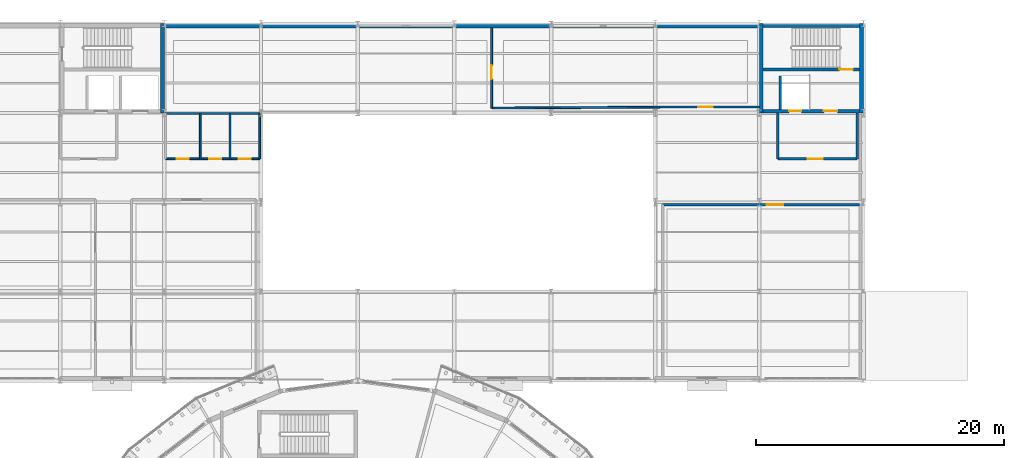
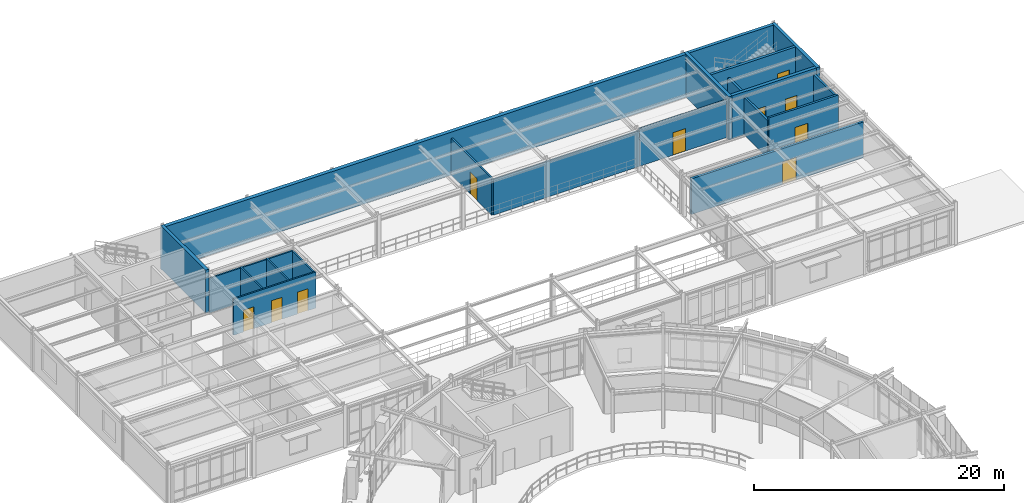
# One storey, part 78 of 90: 20 walls, 10 doors, 10 openings.
"""IFC4 building model written with IfcOpenShell, lengths in metres."""

from ifc_helpers import new_model, si_unit, derived_unit, direction, frame, frame_2d, origin, place, context, subcontext, project, spatial, rectangle, extrude, material, layer, layer_set, type_object, element, fill, save


model = new_model("IFC4")

# Units and contexts
model_context = context("Model", 3, precision=1e-05, world=origin(), true_north=direction((0.0, 1.0)))
body_context = subcontext(model_context, "Body", "Model", "MODEL_VIEW")
ifc_project = project(units=[si_unit("LENGTHUNIT", "METRE"), si_unit("AREAUNIT", "SQUARE_METRE"), si_unit("VOLUMEUNIT", "CUBIC_METRE"), si_unit("PLANEANGLEUNIT", "RADIAN"), si_unit("MASSUNIT", "GRAM", prefix="KILO"), derived_unit("THERMALTRANSMITTANCEUNIT", [(si_unit("POWERUNIT", "WATT"), 1), (si_unit("AREAUNIT", "SQUARE_METRE"), -1), (si_unit("THERMODYNAMICTEMPERATUREUNIT", "KELVIN"), -1)])], contexts=[model_context])

# Site, building, storey
site_placement = place(None, origin())
site = spatial("IfcSite", under=ifc_project, at=site_placement, CompositionType="ELEMENT")
building_placement = place(site_placement, origin())
building = spatial("IfcBuilding", under=site, at=building_placement, Name="Yasenodar Specialist Clinic", CompositionType="ELEMENT")
storey_placement = place(building_placement, frame((0.0, 0.0, 9.0)))
storey = spatial("IfcBuildingStorey", under=building, at=storey_placement, Name="L02", CompositionType="ELEMENT", Elevation=9.0)

# Wall, opening, door
ifc_material_1 = material(Name="Outpatient Examination Partition")
ifc_layer_1 = layer(ifc_material_1, 0.14990234375)
ifc_layer_set_1 = layer_set([ifc_layer_1], Name="Outpatient Examination Partition")
wall_type_1 = type_object("IfcWallType", Name="IW-CONS-150", PredefinedType="PARTITIONING", material=ifc_layer_set_1)
wall_1_placement = place(storey_placement, frame((113.419921875, 104.8701171875, 0.0), z_axis=(0.0, 0.0, 1.0), x_axis=(-1.0, 0.0, 0.0)))
wall_1 = element("IfcWall", 1, at=wall_1_placement, inside=storey, type_object=wall_type_1, Name="L02 Clinical Trial Investigational Pharmacy Partition", PredefinedType="PARTITIONING", context=body_context, shape_type="SweptSolid", body=[
    extrude(rectangle(XDim=8.0400390625, YDim=0.14990234375, at=frame_2d((4.02001953125, 0.0))), origin(), (0.0, 0.0, 1.0), 3.64794921875),
])
opening_1_placement = place(wall_1_placement, frame((3.780029296875, 0.0, 0.0)))
opening_1 = element("IfcOpeningElement", 2, at=opening_1_placement, cuts=wall_1, Name="Opening D-06", PredefinedType="OPENING", context=body_context, shape_type="SweptSolid", body=[
    extrude(rectangle(XDim=1.179931640625, YDim=2.199951171875, at=frame_2d((0.58984375, 1.10009765625))), frame((0.0, 0.0849609375, 0.0), z_axis=(0.0, -1.0, 0.0), x_axis=(1.0, 0.0, 0.0)), (0.0, 0.0, 1.0), 0.169921875),
])
ifc_material_2 = material(Name="Powder-Coated Steel and Acoustic Laminate Leaf", Category="steel")
door_type_1 = type_object("IfcDoorType", Name="DR-CLN-118", OperationType="NOTDEFINED", PredefinedType="DOOR", material=ifc_material_2)
door_1_placement = place(opening_1_placement, origin())
door_1 = element("IfcDoor", 3, at=door_1_placement, inside=storey, type_object=door_type_1, Name="L02 Clinical Trial Investigational Pharmacy Door", OperationType="SINGLE_SWING_RIGHT", OverallHeight=2.199951171875, OverallWidth=1.179931640625, PredefinedType="DOOR", context=body_context, shape_type="SweptSolid", body=[
    extrude(rectangle(XDim=1.179931640625, YDim=2.199951171875, at=frame_2d((0.58984375, 1.10009765625))), frame((0.0, 0.02490234375, 0.0), z_axis=(0.0, -1.0, 0.0), x_axis=(1.0, 0.0, 0.0)), (0.0, 0.0, 1.0), 0.050048828125),
])
fill(opening_1, door_1)

# Wall
wall_2_placement = place(storey_placement, frame((105.3798828125, 104.8701171875, 0.0), z_axis=(0.0, 0.0, 1.0), x_axis=(-0.999985423809, -0.00539927482, 0.0)))
element("IfcWall", 4, at=wall_2_placement, inside=storey, type_object=wall_type_1, Name="L02 Clinical Trial Investigational Pharmacy Partition", PredefinedType="PARTITIONING", context=body_context, shape_type="SweptSolid", body=[
    extrude(rectangle(XDim=13.52001953125, YDim=0.14990234375, at=frame_2d((6.760009765625, 0.0))), origin(), (0.0, 0.0, 1.0), 3.47802734375),
])

# Wall, opening, door
ifc_material_3 = material(Name="Acoustic Double-Gypsum Consulting Partition")
ifc_layer_2 = layer(ifc_material_3, 0.159912109375)
ifc_layer_set_2 = layer_set([ifc_layer_2], Name="Acoustic Double-Gypsum Consulting Partition")
wall_type_2 = type_object("IfcWallType", Name="IW-CONS-160", PredefinedType="PARTITIONING", material=ifc_layer_set_2)
wall_3_placement = place(storey_placement, frame((91.800048828125, 111.27001953125, 0.0), z_axis=(0.0, 0.0, 1.0), x_axis=(0.0, -1.0, 0.0)))
wall_3 = element("IfcWall", 5, at=wall_3_placement, inside=storey, type_object=wall_type_2, Name="L02 Aseptic Oncology Compounding Pharmacy Partition", PredefinedType="PARTITIONING", context=body_context, shape_type="SweptSolid", body=[
    extrude(rectangle(XDim=6.469970703125, YDim=0.159912109375, at=frame_2d((3.23486328125, 0.0))), origin(), (0.0, 0.0, 1.0), 3.597900390625),
])
opening_2_placement = place(wall_3_placement, frame((3.02001953125, 0.0, 0.0)))
opening_2 = element("IfcOpeningElement", 6, at=opening_2_placement, cuts=wall_3, Name="Opening D-05", PredefinedType="OPENING", context=body_context, shape_type="SweptSolid", body=[
    extrude(rectangle(XDim=1.1201171875, YDim=2.179931640625, at=frame_2d((0.56005859375, 1.08984375))), frame((0.0, 0.08984375, 0.0), z_axis=(0.0, -1.0, 0.0), x_axis=(1.0, 0.0, 0.0)), (0.0, 0.0, 1.0), 0.179931640625),
])
door_type_2 = type_object("IfcDoorType", Name="DR-CLN-112", OperationType="NOTDEFINED", PredefinedType="DOOR", material=ifc_material_2)
door_2_placement = place(opening_2_placement, origin())
door_2 = element("IfcDoor", 7, at=door_2_placement, inside=storey, type_object=door_type_2, Name="L02 Aseptic Oncology Compounding Pharmacy Door", OperationType="SINGLE_SWING_LEFT", OverallHeight=2.179931640625, OverallWidth=1.1201171875, PredefinedType="DOOR", context=body_context, shape_type="SweptSolid", body=[
    extrude(rectangle(XDim=1.1201171875, YDim=2.179931640625, at=frame_2d((0.56005859375, 1.08984375))), frame((0.0, 0.02490234375, 0.0), z_axis=(0.0, -1.0, 0.0), x_axis=(1.0, 0.0, 0.0)), (0.0, 0.0, 1.0), 0.050048828125),
])
fill(opening_2, door_2)

ifc_material_4 = material(Name="Fire-Rated Gypsum and Mineral-Wool Wall")
ifc_layer_3 = layer(ifc_material_4, 0.195068359375)
ifc_layer_set_3 = layer_set([ifc_layer_3], Name="Fire-Rated Gypsum and Mineral-Wool Wall")
wall_type_3 = type_object("IfcWallType", Name="IW-LOBBY-195", PredefinedType="PARTITIONING", material=ifc_layer_set_3)
wall_4_placement = place(storey_placement, frame((114.89990234375, 100.699951171875, 0.0), z_axis=(0.0, 0.0, 1.0), x_axis=(1.0, 0.0, 0.0)))
wall_4 = element("IfcWall", 8, at=wall_4_placement, inside=storey, type_object=wall_type_3, Name="L02 C5 Firefighting Lobby South Wall", PredefinedType="PARTITIONING", context=body_context, shape_type="SweptSolid", body=[
    extrude(rectangle(XDim=6.400146484375, YDim=0.195068359375, at=frame_2d((3.2001953125, 0.0))), origin(), (0.0, 0.0, 1.0), 3.929931640625),
])
opening_3_placement = place(wall_4_placement, frame((2.39990234375, 0.0, 0.0)))
opening_3 = element("IfcOpeningElement", 9, at=opening_3_placement, cuts=wall_4, Name="Opening FD-02", PredefinedType="OPENING", context=body_context, shape_type="SweptSolid", body=[
    extrude(rectangle(XDim=1.199951171875, YDim=2.14990234375, at=frame_2d((0.60009765625, 1.074951171875))), frame((0.0, 0.107421875, 0.0), z_axis=(0.0, -1.0, 0.0), x_axis=(1.0, 0.0, 0.0)), (0.0, 0.0, 1.0), 0.215087890625),
])
ifc_material_5 = material(Name="Fire-Rated Insulated Steel Door", Category="steel")
door_type_3 = type_object("IfcDoorType", Name="DR-FD-120", OperationType="NOTDEFINED", PredefinedType="DOOR", material=ifc_material_5)
door_3_placement = place(opening_3_placement, origin())
door_3 = element("IfcDoor", 10, at=door_3_placement, inside=storey, type_object=door_type_3, Name="L02 C5 Firefighting Lobby Door", OperationType="SINGLE_SWING_RIGHT", OverallHeight=2.14990234375, OverallWidth=1.199951171875, PredefinedType="DOOR", context=body_context, shape_type="SweptSolid", body=[
    extrude(rectangle(XDim=1.199951171875, YDim=2.14990234375, at=frame_2d((0.60009765625, 1.074951171875))), frame((0.0, 0.02490234375, 0.0), z_axis=(0.0, -1.0, 0.0), x_axis=(1.0, 0.0, 0.0)), (0.0, 0.0, 1.0), 0.050048828125),
])
fill(opening_3, door_3)

# Walls
for number, where, z_axis, x_axis, name in (
    (11, (121.300048828125, 100.699951171875, 0.0), (0.0, 0.0, 1.0), (0.0, 1.0, 0.0), "L02 C5 Firefighting Lobby East Wall"),
    (12, (114.89990234375, 100.699951171875, 0.0), (0.0, 0.0, 1.0), (0.0, 1.0, 0.0), "L02 C5 Firefighting Lobby West Wall"),
):
    element("IfcWall", number, at=place(storey_placement, frame(where, z_axis=z_axis, x_axis=x_axis)), inside=storey, type_object=wall_type_3, Name=name, PredefinedType="PARTITIONING", context=body_context, shape_type="SweptSolid", body=[
        extrude(rectangle(XDim=3.699951171875, YDim=0.195068359375, at=frame_2d((1.85009765625, 0.0))), origin(), (0.0, 0.0, 1.0), 3.657958984375),
    ])
ifc_material_6 = material(Name="Aerated Concrete Blockwork Fire Shaft Wall", Category="masonry")
ifc_layer_4 = layer(ifc_material_6, 0.205078125)
ifc_layer_set_4 = layer_set([ifc_layer_4], Name="Aerated Concrete Blockwork Fire Shaft Wall")
wall_type_4 = type_object("IfcWallType", Name="IW-SHAFT-205", PredefinedType="PARTITIONING", material=ifc_layer_set_4)
wall_5_placement = place(storey_placement, frame((115.10009765625, 104.699951171875, 0.0), z_axis=(0.0, 0.0, 1.0), x_axis=(0.0, 1.0, 0.0)))
element("IfcWall", 13, at=wall_5_placement, inside=storey, type_object=wall_type_4, Name="L02 LF-08 Lift Shaft Side Wall", PredefinedType="PARTITIONING", context=body_context, shape_type="SweptSolid", body=[
    extrude(rectangle(XDim=2.699951171875, YDim=0.205078125, at=frame_2d((1.35009765625, 0.0))), origin(), (0.0, 0.0, 1.0), 3.677978515625),
])

# Wall, opening, door
wall_6_placement = place(storey_placement, frame((105.60009765625, 97.0, 0.0), z_axis=(0.0, 0.0, 1.0), x_axis=(1.0, 0.0, 0.0)))
wall_6 = element("IfcWall", 14, at=wall_6_placement, inside=storey, type_object=wall_type_4, Name="L02 Sterile Pack Preparation Store Partition", PredefinedType="PARTITIONING", context=body_context, shape_type="SweptSolid", body=[
    extrude(rectangle(XDim=15.8798828125, YDim=0.205078125, at=frame_2d((7.93994140625, 0.0))), origin(), (0.0, 0.0, 1.0), 3.488037109375),
])
opening_4_placement = place(wall_6_placement, frame((8.39990234375, 0.0, 0.0)))
opening_4 = element("IfcOpeningElement", 15, at=opening_4_placement, cuts=wall_6, Name="Opening FD-03", PredefinedType="OPENING", context=body_context, shape_type="SweptSolid", body=[
    extrude(rectangle(XDim=1.320068359375, YDim=2.179931640625, at=frame_2d((0.66015625, 1.08984375))), frame((0.0, 0.112548828125, 0.0), z_axis=(0.0, -1.0, 0.0), x_axis=(1.0, 0.0, 0.0)), (0.0, 0.0, 1.0), 0.22509765625),
])
door_type_4 = type_object("IfcDoorType", Name="DR-FD-132", OperationType="NOTDEFINED", PredefinedType="DOOR", material=ifc_material_5)
door_4_placement = place(opening_4_placement, origin())
door_4 = element("IfcDoor", 16, at=door_4_placement, inside=storey, type_object=door_type_4, Name="L02 Sterile Pack Preparation Store Door", OperationType="SINGLE_SWING_LEFT", OverallHeight=2.179931640625, OverallWidth=1.320068359375, PredefinedType="DOOR", context=body_context, shape_type="SweptSolid", body=[
    extrude(rectangle(XDim=1.320068359375, YDim=2.179931640625, at=frame_2d((0.66015625, 1.08984375))), frame((0.0, 0.02490234375, 0.0), z_axis=(0.0, -1.0, 0.0), x_axis=(1.0, 0.0, 0.0)), (0.0, 0.0, 1.0), 0.050048828125),
])
fill(opening_4, door_4)

# Walls
ifc_material_7 = material(Name="Moisture-Resistant Sanitary Partition")
ifc_layer_5 = layer(ifc_material_7, 0.139892578125)
ifc_layer_set_5 = layer_set([ifc_layer_5], Name="Moisture-Resistant Sanitary Partition")
wall_type_5 = type_object("IfcWallType", Name="IW-WET-140", PredefinedType="PARTITIONING", material=ifc_layer_set_5)
wall_7_placement = place(storey_placement, frame((65.39990234375, 104.35009765625, 0.0), z_axis=(0.0, 0.0, 1.0), x_axis=(1.0, 0.0, 0.0)))
element("IfcWall", 17, at=wall_7_placement, inside=storey, type_object=wall_type_5, Name="L02 North Sanitary Block North Wall", PredefinedType="PARTITIONING", context=body_context, shape_type="SweptSolid", body=[
    extrude(rectangle(XDim=7.7001953125, YDim=0.139892578125, at=frame_2d((3.85009765625, 0.0))), origin(), (0.0, 0.0, 1.0), 3.3779296875),
])
wall_8_placement = place(storey_placement, frame((73.10009765625, 100.699951171875, 0.0), z_axis=(0.0, 0.0, 1.0), x_axis=(0.0, 1.0, 0.0)))
element("IfcWall", 18, at=wall_8_placement, inside=storey, type_object=wall_type_5, Name="L02 North Sanitary Block East Wall", PredefinedType="PARTITIONING", context=body_context, shape_type="SweptSolid", body=[
    extrude(rectangle(XDim=3.650146484375, YDim=0.139892578125, at=frame_2d((1.8251953125, 0.0))), origin(), (0.0, 0.0, 1.0), 3.3779296875),
])
for number, where, z_axis, x_axis, name in (
    (19, (68.300048828125, 100.699951171875, 0.0), (0.0, 0.0, 1.0), (0.0, 1.0, 0.0), "L02 North Accessible WC Divider Wall"),
    (20, (70.699951171875, 100.699951171875, 0.0), (0.0, 0.0, 1.0), (0.0, 1.0, 0.0), "L02 North Patient and Staff WC Divider Wall"),
):
    element("IfcWall", number, at=place(storey_placement, frame(where, z_axis=z_axis, x_axis=x_axis)), inside=storey, type_object=wall_type_5, Name=name, PredefinedType="PARTITIONING", context=body_context, shape_type="SweptSolid", body=[
        extrude(rectangle(XDim=3.650146484375, YDim=0.139892578125, at=frame_2d((1.8251953125, 0.0))), origin(), (0.0, 0.0, 1.0), 3.47802734375),
    ])

# Wall, openings, doors
wall_9_placement = place(storey_placement, frame((65.5, 100.699951171875, 0.0), z_axis=(0.0, 0.0, 1.0), x_axis=(1.0, 0.0, 0.0)))
wall_9 = element("IfcWall", 21, at=wall_9_placement, inside=storey, type_object=wall_type_5, Name="L02 North Sanitary Block Corridor Wall", PredefinedType="PARTITIONING", context=body_context, shape_type="SweptSolid", body=[
    extrude(rectangle(XDim=7.60009765625, YDim=0.139892578125, at=frame_2d((3.800048828125, 0.0))), origin(), (0.0, 0.0, 1.0), 3.528076171875),
])
opening_5_placement = place(wall_9_placement, frame((0.919921875, 0.0, 0.0)))
opening_5 = element("IfcOpeningElement", 22, at=opening_5_placement, cuts=wall_9, Name="Opening D-01", PredefinedType="OPENING", context=body_context, shape_type="SweptSolid", body=[
    extrude(rectangle(XDim=0.949951171875, YDim=2.1201171875, at=frame_2d((0.47509765625, 1.06005859375))), frame((0.0, 0.080078125, 0.0), z_axis=(0.0, -1.0, 0.0), x_axis=(1.0, 0.0, 0.0)), (0.0, 0.0, 1.0), 0.159912109375),
])
opening_6_placement = place(wall_9_placement, frame((3.510009765625, 0.0, 0.0)))
opening_6 = element("IfcOpeningElement", 23, at=opening_6_placement, cuts=wall_9, Name="Opening D-02", PredefinedType="OPENING", context=body_context, shape_type="SweptSolid", body=[
    extrude(rectangle(XDim=0.97998046875, YDim=2.139892578125, at=frame_2d((0.489990234375, 1.06982421875))), frame((0.0, 0.080078125, 0.0), z_axis=(0.0, -1.0, 0.0), x_axis=(1.0, 0.0, 0.0)), (0.0, 0.0, 1.0), 0.159912109375),
])
opening_7_placement = place(wall_9_placement, frame((5.909912109375, 0.0, 0.0)))
opening_7 = element("IfcOpeningElement", 24, at=opening_7_placement, cuts=wall_9, Name="Opening D-02", PredefinedType="OPENING", context=body_context, shape_type="SweptSolid", body=[
    extrude(rectangle(XDim=0.97998046875, YDim=2.139892578125, at=frame_2d((0.489990234375, 1.06982421875))), frame((0.0, 0.080078125, 0.0), z_axis=(0.0, -1.0, 0.0), x_axis=(1.0, 0.0, 0.0)), (0.0, 0.0, 1.0), 0.159912109375),
])
door_type_5 = type_object("IfcDoorType", Name="DR-CLN-095", OperationType="NOTDEFINED", PredefinedType="DOOR", material=ifc_material_2)
door_5_placement = place(opening_5_placement, origin())
door_5 = element("IfcDoor", 25, at=door_5_placement, inside=storey, type_object=door_type_5, Name="L02 North Accessible WC Door", OperationType="SINGLE_SWING_RIGHT", OverallHeight=2.1201171875, OverallWidth=0.949951171875, PredefinedType="DOOR", context=body_context, shape_type="SweptSolid", body=[
    extrude(rectangle(XDim=0.949951171875, YDim=2.1201171875, at=frame_2d((0.47509765625, 1.06005859375))), frame((0.0, 0.02490234375, 0.0), z_axis=(0.0, -1.0, 0.0), x_axis=(1.0, 0.0, 0.0)), (0.0, 0.0, 1.0), 0.050048828125),
])
fill(opening_5, door_5)
door_type_6 = type_object("IfcDoorType", Name="DR-CLN-098", OperationType="NOTDEFINED", PredefinedType="DOOR", material=ifc_material_2)
door_6_placement = place(opening_6_placement, origin())
door_6 = element("IfcDoor", 26, at=door_6_placement, inside=storey, type_object=door_type_6, Name="L02 North Patient Washroom WC Door", OperationType="SINGLE_SWING_LEFT", OverallHeight=2.139892578125, OverallWidth=0.97998046875, PredefinedType="DOOR", context=body_context, shape_type="SweptSolid", body=[
    extrude(rectangle(XDim=0.97998046875, YDim=2.139892578125, at=frame_2d((0.489990234375, 1.06982421875))), frame((0.0, 0.02490234375, 0.0), z_axis=(0.0, -1.0, 0.0), x_axis=(1.0, 0.0, 0.0)), (0.0, 0.0, 1.0), 0.050048828125),
])
fill(opening_6, door_6)
door_7_placement = place(opening_7_placement, origin())
door_7 = element("IfcDoor", 27, at=door_7_placement, inside=storey, type_object=door_type_6, Name="L02 North Staff Washroom WC Door", OperationType="SINGLE_SWING_RIGHT", OverallHeight=2.139892578125, OverallWidth=0.97998046875, PredefinedType="DOOR", context=body_context, shape_type="SweptSolid", body=[
    extrude(rectangle(XDim=0.97998046875, YDim=2.139892578125, at=frame_2d((0.489990234375, 1.06982421875))), frame((0.0, 0.02490234375, 0.0), z_axis=(0.0, -1.0, 0.0), x_axis=(1.0, 0.0, 0.0)), (0.0, 0.0, 1.0), 0.050048828125),
])
fill(opening_7, door_7)

# Wall, opening, door
ifc_material_8 = material(Name="Concrete C35/45", Category="concrete")
ifc_layer_6 = layer(ifc_material_8, 0.25)
ifc_layer_set_6 = layer_set([ifc_layer_6], Name="Concrete C35/45")
wall_type_6 = type_object("IfcWallType", Name="WL-CORE-250", PredefinedType="SHEAR", material=ifc_layer_set_6)
wall_10_placement = place(storey_placement, frame((113.699951171875, 107.89990234375, 0.0), z_axis=(0.0, 0.0, 1.0), x_axis=(1.0, 0.0, 0.0)))
wall_10 = element("IfcWall", 28, at=wall_10_placement, inside=storey, type_object=wall_type_6, Name="L02 Core C5 Central Spine Wall", PredefinedType="SHEAR", context=body_context, shape_type="SweptSolid", body=[
    extrude(rectangle(XDim=7.800048828125, YDim=0.25, at=frame_2d((3.89990234375, 0.0))), origin(), (0.0, 0.0, 1.0), 4.199951171875),
])
opening_8_placement = place(wall_10_placement, frame((6.14990234375, 0.0, 0.0)))
opening_8 = element("IfcOpeningElement", 29, at=opening_8_placement, cuts=wall_10, Name="Opening FD-01", PredefinedType="OPENING", context=body_context, shape_type="SweptSolid", body=[
    extrude(rectangle(XDim=1.10009765625, YDim=2.14990234375, at=frame_2d((0.550048828125, 1.074951171875))), frame((0.0, 0.135009765625, 0.0), z_axis=(0.0, -1.0, 0.0), x_axis=(1.0, 0.0, 0.0)), (0.0, 0.0, 1.0), 0.27001953125),
])
door_type_7 = type_object("IfcDoorType", Name="DR-FD-110", OperationType="NOTDEFINED", PredefinedType="DOOR", material=ifc_material_5)
door_8_placement = place(opening_8_placement, origin())
door_8 = element("IfcDoor", 30, at=door_8_placement, inside=storey, type_object=door_type_7, Name="L02 ST-05 Protected Stair Door", OperationType="SINGLE_SWING_RIGHT", OverallHeight=2.14990234375, OverallWidth=1.10009765625, PredefinedType="DOOR", context=body_context, shape_type="SweptSolid", body=[
    extrude(rectangle(XDim=1.10009765625, YDim=2.14990234375, at=frame_2d((0.550048828125, 1.074951171875))), frame((0.0, 0.02490234375, 0.0), z_axis=(0.0, -1.0, 0.0), x_axis=(1.0, 0.0, 0.0)), (0.0, 0.0, 1.0), 0.050048828125),
])
fill(opening_8, door_8)

# Walls
ifc_layer_7 = layer(ifc_material_8, 0.300048828125)
ifc_layer_set_7 = layer_set([ifc_layer_7], Name="Concrete C35/45")
wall_type_7 = type_object("IfcWallType", Name="WL-CORE-300", PredefinedType="SHEAR", material=ifc_layer_set_7)
wall_11_placement = place(storey_placement, frame((65.25, 104.39990234375, 0.0), z_axis=(0.0, 0.0, 1.0), x_axis=(0.0, 1.0, 0.0)))
element("IfcWall", 31, at=wall_11_placement, inside=storey, type_object=wall_type_7, Name="L02 Core C4 East Shear Wall", PredefinedType="SHEAR", context=body_context, shape_type="SweptSolid", body=[
    extrude(rectangle(XDim=7.2001953125, YDim=0.300048828125, at=frame_2d((3.60009765625, 0.0))), origin(), (0.0, 0.0, 1.0), 4.199951171875),
])
wall_12_placement = place(storey_placement, frame((113.39990234375, 111.449951171875, 0.0), z_axis=(0.0, 0.0, 1.0), x_axis=(1.0, 0.0, 0.0)))
element("IfcWall", 32, at=wall_12_placement, inside=storey, type_object=wall_type_7, Name="L02 Core C5 North Shear Wall", PredefinedType="SHEAR", context=body_context, shape_type="SweptSolid", body=[
    extrude(rectangle(XDim=8.400146484375, YDim=0.300048828125, at=frame_2d((4.2001953125, 0.0))), origin(), (0.0, 0.0, 1.0), 4.199951171875),
])

# Wall, openings, doors
wall_13_placement = place(storey_placement, frame((113.39990234375, 104.550048828125, 0.0), z_axis=(0.0, 0.0, 1.0), x_axis=(1.0, 0.0, 0.0)))
wall_13 = element("IfcWall", 33, at=wall_13_placement, inside=storey, type_object=wall_type_7, Name="L02 Core C5 South Shear Wall", PredefinedType="SHEAR", context=body_context, shape_type="SweptSolid", body=[
    extrude(rectangle(XDim=8.400146484375, YDim=0.300048828125, at=frame_2d((4.2001953125, 0.0))), origin(), (0.0, 0.0, 1.0), 4.199951171875),
])
opening_9_placement = place(wall_13_placement, frame((5.199951171875, 0.0, 0.0)))
opening_9 = element("IfcOpeningElement", 34, at=opening_9_placement, cuts=wall_13, Name="Opening FD-01", PredefinedType="OPENING", context=body_context, shape_type="SweptSolid", body=[
    extrude(rectangle(XDim=1.10009765625, YDim=2.14990234375, at=frame_2d((0.550048828125, 1.074951171875))), frame((0.0, 0.16015625, 0.0), z_axis=(0.0, -1.0, 0.0), x_axis=(1.0, 0.0, 0.0)), (0.0, 0.0, 1.0), 0.320068359375),
])
opening_10_placement = place(wall_13_placement, frame((2.39990234375, 0.0, 0.0)))
opening_10 = element("IfcOpeningElement", 35, at=opening_10_placement, cuts=wall_13, Name="Opening LD-01", PredefinedType="OPENING", context=body_context, shape_type="SweptSolid", body=[
    extrude(rectangle(XDim=1.0, YDim=2.10009765625, at=frame_2d((0.5, 1.050048828125))), frame((0.0, 0.16015625, 0.0), z_axis=(0.0, -1.0, 0.0), x_axis=(1.0, 0.0, 0.0)), (0.0, 0.0, 1.0), 0.320068359375),
])
door_9_placement = place(opening_9_placement, origin())
door_9 = element("IfcDoor", 36, at=door_9_placement, inside=storey, type_object=door_type_7, Name="L02 Stair ST-05 Vestibule Door", OperationType="SINGLE_SWING_LEFT", OverallHeight=2.14990234375, OverallWidth=1.10009765625, PredefinedType="DOOR", context=body_context, shape_type="SweptSolid", body=[
    extrude(rectangle(XDim=1.10009765625, YDim=2.14990234375, at=frame_2d((0.550048828125, 1.074951171875))), frame((0.0, 0.02490234375, 0.0), z_axis=(0.0, -1.0, 0.0), x_axis=(1.0, 0.0, 0.0)), (0.0, 0.0, 1.0), 0.050048828125),
])
fill(opening_9, door_9)
door_type_8 = type_object("IfcDoorType", Name="DR-LD-100", OperationType="DOUBLE_DOOR_SLIDING", PredefinedType="DOOR", material=ifc_material_5)
door_10_placement = place(opening_10_placement, origin())
door_10 = element("IfcDoor", 37, at=door_10_placement, inside=storey, type_object=door_type_8, Name="L02 LF-08 Lift Landing Door", OperationType="DOUBLE_DOOR_SLIDING", OverallHeight=2.10009765625, OverallWidth=1.0, PredefinedType="DOOR", context=body_context, shape_type="SweptSolid", body=[
    extrude(rectangle(XDim=1.0, YDim=2.10009765625, at=frame_2d((0.5, 1.050048828125))), frame((0.0, 0.02490234375, 0.0), z_axis=(0.0, -1.0, 0.0), x_axis=(1.0, 0.0, 0.0)), (0.0, 0.0, 1.0), 0.050048828125),
])
fill(opening_10, door_10)

# Walls
for number, where, z_axis, x_axis, name in (
    (38, (113.550048828125, 104.39990234375, 0.0), (0.0, 0.0, 1.0), (0.0, 1.0, 0.0), "L02 Core C5 West Shear Wall"),
    (39, (121.64990234375, 111.60009765625, 0.0), (0.0, 0.0, 1.0), (0.0, -1.0, 0.0), "L02 Core C5 East Shear Wall"),
):
    element("IfcWall", number, at=place(storey_placement, frame(where, z_axis=z_axis, x_axis=x_axis)), inside=storey, type_object=wall_type_7, Name=name, PredefinedType="SHEAR", context=body_context, shape_type="SweptSolid", body=[
        extrude(rectangle(XDim=7.2001953125, YDim=0.300048828125, at=frame_2d((3.60009765625, 0.0))), origin(), (0.0, 0.0, 1.0), 4.199951171875),
    ])
ifc_layer_8 = layer(ifc_material_8, 0.35009765625)
ifc_layer_set_8 = layer_set([ifc_layer_8], Name="Concrete C35/45")
wall_type_8 = type_object("IfcWallType", Name="WL-PARTY-350", PredefinedType="SHEAR", material=ifc_layer_set_8)
wall_14_placement = place(storey_placement, frame((65.39990234375, 111.425048828125, 0.0), z_axis=(0.0, 0.0, 1.0), x_axis=(1.0, 0.0, 0.0)))
element("IfcWall", 40, at=wall_14_placement, inside=storey, type_object=wall_type_8, Name="L02 Northern Party Wall Segment 3", PredefinedType="SHEAR", context=body_context, shape_type="SweptSolid", body=[
    extrude(rectangle(XDim=48.0, YDim=0.35009765625, at=frame_2d((24.0, 0.0))), origin(), (0.0, 0.0, 1.0), 4.199951171875),
])

save(model, "model.ifc")
